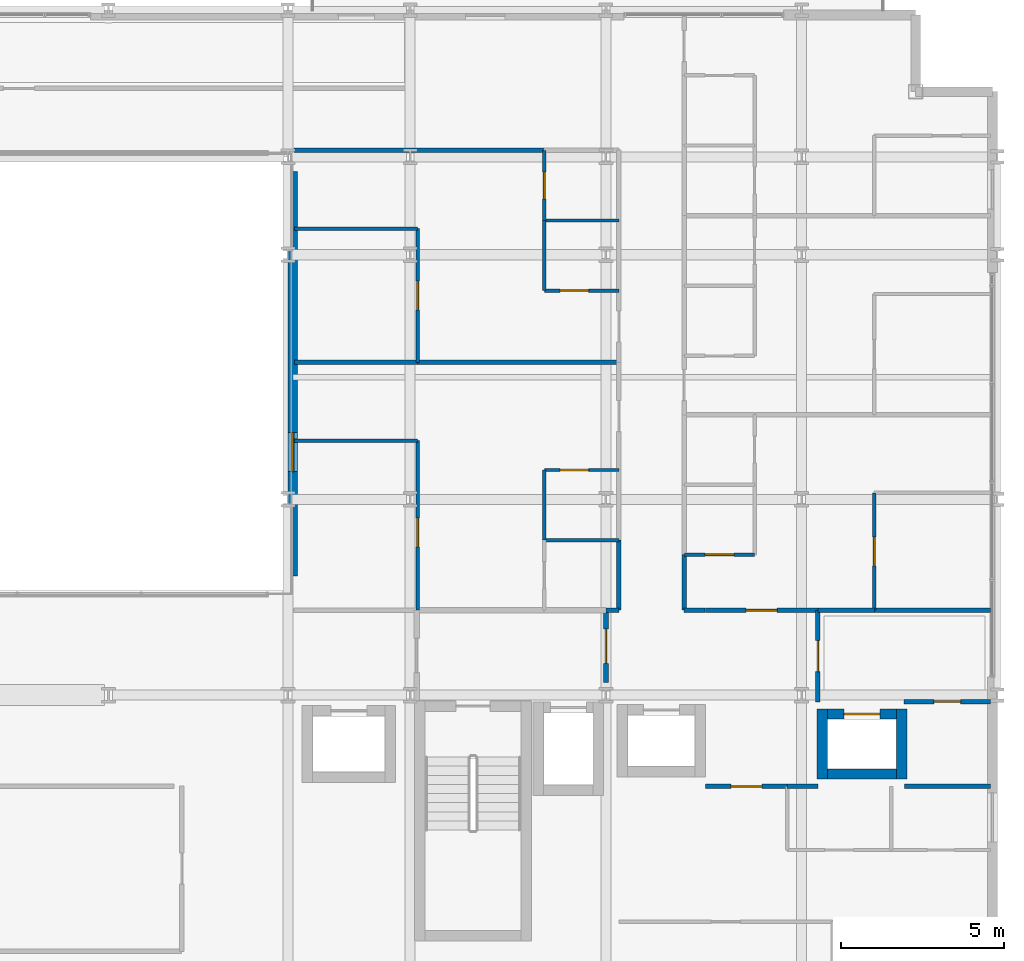
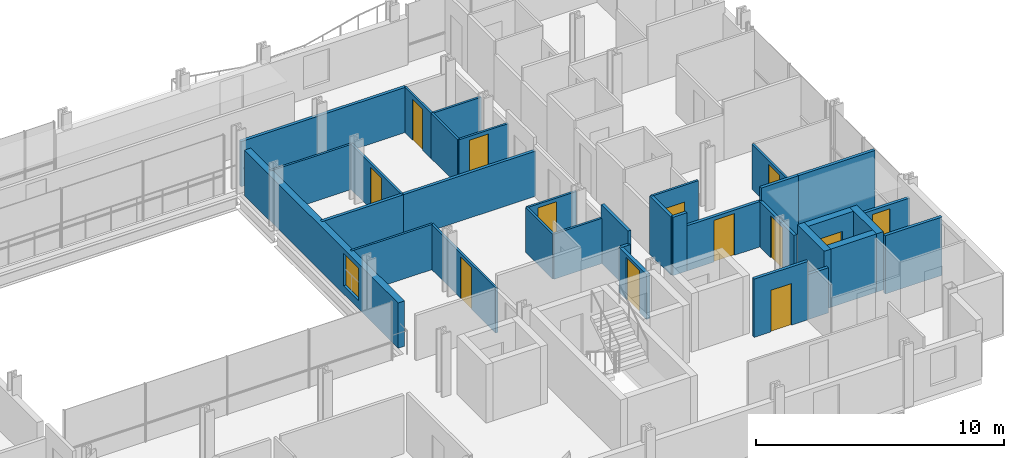
# One storey, part 35 of 40: 34 walls, 13 doors, 1 window, 14 openings.
"""IFC4 building model written with IfcOpenShell, lengths in metres."""

import ifcopenshell
import ifcopenshell.guid

model = None  # the IFC model being written
_history = None  # IfcOwnerHistory: only IFC2X3 demands one
_inside = {}  # id of a spatial element -> (the spatial element, [elements in it])
_under = {}  # id of a project, library or spatial element -> (it, [spatial elements below it])
_declared = {}  # id of a project -> (the project, [libraries it declares])
_typed = {}  # id of a type object -> (the type object, [elements of that type])
_made_of = {}  # id of a material, layer set ... -> (it, [elements and type objects made of it])


def new_model(schema):
    """Start an empty IFC model of exactly this schema.

    Asked for "IFC4X3", IfcOpenShell would pick the latest addendum, in which some entities
    have other attributes; the version numbers below select the first issue.
    IFC2X3 requires an IfcOwnerHistory on every rooted entity: one is made here for all.
    """
    global model, _history
    if schema == "IFC4X3":
        model = ifcopenshell.file(schema_version=(4, 3, 0, 0))
    else:
        model = ifcopenshell.file(schema=schema)
    _inside.clear()
    _under.clear()
    _declared.clear()
    _typed.clear()
    _made_of.clear()
    _history = None
    if model.schema == "IFC2X3":
        org = make("IfcOrganization", Name="unknown")
        user = make(
            "IfcPersonAndOrganization",
            ThePerson=make("IfcPerson", FamilyName="unknown"),
            TheOrganization=org,
        )
        app = make(
            "IfcApplication",
            ApplicationDeveloper=org,
            Version="unknown",
            ApplicationFullName="unknown",
            ApplicationIdentifier="unknown",
        )
        _history = make(
            "IfcOwnerHistory",
            OwningUser=user,
            OwningApplication=app,
            ChangeAction="ADDED",
            CreationDate=0,
        )
    return model


def make(cls, **values):
    """One entity of the class cls with the attributes given. An attribute that is None is left unset."""
    return model.create_entity(
        cls, **{name: value for name, value in values.items() if value is not None}
    )


def rooted(cls, **values):
    """An entity with a GlobalId (a new one), such as an element, a storey or a relation."""
    return make(cls, GlobalId=ifcopenshell.guid.new(), OwnerHistory=_history, **values)


def si_unit(unit_type, name, prefix=None):
    """IfcSIUnit, for example si_unit("LENGTHUNIT", "METRE", prefix="MILLI")."""
    return make("IfcSIUnit", UnitType=unit_type, Prefix=prefix, Name=name)


def assignment(units):
    """IfcUnitAssignment: the units of a project."""
    return None if units is None else make("IfcUnitAssignment", Units=units)


def point(xyz):
    """IfcCartesianPoint."""
    return None if xyz is None else make("IfcCartesianPoint", Coordinates=xyz)


def direction(xyz):
    """IfcDirection."""
    return None if xyz is None else make("IfcDirection", DirectionRatios=xyz)


def frame(location, z_axis=None, x_axis=None):
    """IfcAxis2Placement3D, a coordinate frame: its origin and axes. An axis left out is left unset."""
    return make(
        "IfcAxis2Placement3D",
        Location=point(location),
        Axis=direction(z_axis),
        RefDirection=direction(x_axis),
    )


def frame_2d(location, x_axis=None):
    """IfcAxis2Placement2D, a coordinate frame in the plane: its origin and x axis."""
    return make(
        "IfcAxis2Placement2D", Location=point(location), RefDirection=direction(x_axis)
    )


def origin():
    """The frame at (0, 0, 0) with its axes left unset."""
    return frame((0.0, 0.0, 0.0))


def place(relative_to, where):
    """IfcLocalPlacement: puts the frame where relative to a parent placement (None: the world)."""
    return make(
        "IfcLocalPlacement", PlacementRelTo=relative_to, RelativePlacement=where
    )


def context(
    kind, dimensions, precision=None, world=None, true_north=None, identifier=None
):
    """IfcGeometricRepresentationContext, for example the 3D "Model" context."""
    return make(
        "IfcGeometricRepresentationContext",
        ContextIdentifier=identifier,
        ContextType=kind,
        CoordinateSpaceDimension=dimensions,
        Precision=precision,
        WorldCoordinateSystem=world,
        TrueNorth=true_north,
    )


def subcontext(parent, identifier, kind, view, scale=None):
    """IfcGeometricRepresentationSubContext, for example "Body" below "Model"."""
    return make(
        "IfcGeometricRepresentationSubContext",
        ContextIdentifier=identifier,
        ContextType=kind,
        ParentContext=parent,
        TargetScale=scale,
        TargetView=view,
    )


def project(units=None, contexts=None):
    """IfcProject with its units and contexts."""
    return rooted(
        "IfcProject",
        Name="project",
        RepresentationContexts=contexts,
        UnitsInContext=assignment(units),
    )


def spatial(cls, under=None, at=None, **own):
    """A site, building, storey or space (cls), placed at a placement, below another one or the project."""
    s = rooted(cls, ObjectPlacement=at, **own)
    if under is not None:
        _under.setdefault(under.id(), (under, []))[1].append(s)
    return s


def profile(cls, at=None, kind="AREA", **sizes):
    """A parametric profile (cls). Its sizes go by their IFC names, for example OverallWidth=200.0."""
    return make(cls, ProfileType=kind, Position=at, **sizes)


def rectangle(**sizes):
    """IfcRectangleProfileDef."""
    return profile("IfcRectangleProfileDef", **sizes)


def extrude(swept, where, along, depth):
    """IfcExtrudedAreaSolid: the profile swept, set in the frame where, extruded along a direction by depth."""
    return make(
        "IfcExtrudedAreaSolid",
        SweptArea=swept,
        Position=where,
        ExtrudedDirection=direction(along),
        Depth=depth,
    )


def shape(context_of_items, identifier, shape_type, items):
    """IfcShapeRepresentation: the items that make up one representation, for example the "Body"."""
    return make(
        "IfcShapeRepresentation",
        ContextOfItems=context_of_items,
        RepresentationIdentifier=identifier,
        RepresentationType=shape_type,
        Items=items,
    )


def material(Name=None, Category=None):
    """IfcMaterial."""
    return make("IfcMaterial", Name=Name, Category=Category)


def layer(
    of_material, thickness, ventilated=None, Name=None, Category=None, Priority=None
):
    """IfcMaterialLayer: one layer of a wall or slab, of a material (None: an air gap)."""
    return make(
        "IfcMaterialLayer",
        Material=of_material,
        LayerThickness=thickness,
        IsVentilated=ventilated,
        Name=Name,
        Category=Category,
        Priority=Priority,
    )


def layer_set(layers, Name=None):
    """IfcMaterialLayerSet."""
    return make("IfcMaterialLayerSet", MaterialLayers=layers, LayerSetName=Name)


def made_of(thing, what):
    """Note that an element or type object is made of a material, layer set ...; save() writes the relation."""
    if what is not None:
        _made_of.setdefault(what.id(), (what, []))[1].append(thing)
    return thing


def type_object(cls, material=None, **own):
    """A type object (cls), such as IfcWallType, which elements share."""
    return made_of(rooted(cls, **own), material)


def element(
    cls,
    number,
    at=None,
    inside=None,
    cuts=None,
    type_object=None,
    material=None,
    context=None,
    identifier="Body",
    shape_type=None,
    held_by="IfcProductDefinitionShape",
    body=None,
    shapes=None,
    **own,
):
    """One element of the class cls, such as IfcWall. Its Tag is "e" and its number.

    at: its placement. inside: the storey or other place that contains it. cuts: it is an
    opening in that element (IfcRelVoidsElement). A single representation is given by context,
    identifier, shape_type and body (its items); several are given by shapes. held_by: the class
    of the entity that holds the representations. save() writes the other relations.
    """
    e = rooted(cls, Tag="e%d" % number, ObjectPlacement=at, **own)
    if body is not None:
        shapes = [shape(context, identifier, shape_type, body)]
    if shapes is not None:
        e.Representation = make(held_by, Representations=shapes)
    if inside is not None:
        _inside.setdefault(inside.id(), (inside, []))[1].append(e)
    if cuts is not None:
        rooted(
            "IfcRelVoidsElement", RelatingBuildingElement=cuts, RelatedOpeningElement=e
        )
    if type_object is not None:
        _typed.setdefault(type_object.id(), (type_object, []))[1].append(e)
    return made_of(e, material)


def fill(opening, filler):
    """IfcRelFillsElement: the door or window that sits in an opening."""
    return rooted(
        "IfcRelFillsElement",
        RelatingOpeningElement=opening,
        RelatedBuildingElement=filler,
    )


def aggregate(whole, parts):
    """IfcRelAggregates: a whole, such as a stair, and the parts it consists of."""
    return rooted("IfcRelAggregates", RelatingObject=whole, RelatedObjects=parts)


def save(model, path):
    """Write the relations noted so far, then the file.

    IfcRelAggregates (storeys below a building ...), IfcRelContainedInSpatialStructure (elements
    in a storey), IfcRelDefinesByType, IfcRelAssociatesMaterial and IfcRelDeclares: one each for
    every whole, place, type object, material and project.
    """
    for whole, parts in _under.values():
        aggregate(whole, parts)
    for where, things in _inside.values():
        rooted(
            "IfcRelContainedInSpatialStructure",
            RelatedElements=things,
            RelatingStructure=where,
        )
    for kind, things in _typed.values():
        rooted("IfcRelDefinesByType", RelatedObjects=things, RelatingType=kind)
    for what, things in _made_of.values():
        rooted("IfcRelAssociatesMaterial", RelatedObjects=things, RelatingMaterial=what)
    for by, libraries in _declared.values():
        rooted("IfcRelDeclares", RelatingContext=by, RelatedDefinitions=libraries)
    model.write(path)


model = new_model("IFC4")

# Units and contexts
model_context = context("Model", 3, precision=1e-05, world=origin(), true_north=direction((0.0, 1.0)))
body_context = subcontext(model_context, "Body", "Model", "MODEL_VIEW")
ifc_project = project(units=[si_unit("LENGTHUNIT", "METRE"), si_unit("AREAUNIT", "SQUARE_METRE"), si_unit("VOLUMEUNIT", "CUBIC_METRE"), si_unit("PLANEANGLEUNIT", "RADIAN"), si_unit("MASSUNIT", "GRAM", prefix="KILO")], contexts=[model_context])

# Site, building, storey
site_placement = place(None, origin())
site = spatial("IfcSite", under=ifc_project, at=site_placement, CompositionType="ELEMENT")
building_placement = place(site_placement, origin())
building = spatial("IfcBuilding", under=site, at=building_placement, Name="Brevholm Reach", CompositionType="ELEMENT")
storey_placement = place(building_placement, frame((0.0, 0.0, 31.10009765625)))
storey = spatial("IfcBuildingStorey", under=building, at=storey_placement, Name="L07", CompositionType="ELEMENT", Elevation=31.10009765625)

# Walls
ifc_material_1 = material(Name="Concrete C60/75", Category="concrete")
ifc_layer_1 = layer(ifc_material_1, 0.320068359375)
ifc_layer_set_1 = layer_set([ifc_layer_1], Name="Concrete C60/75")
wall_type_1 = type_object("IfcWallType", Name="WAL-COR-320", PredefinedType="SHEAR", material=ifc_layer_set_1)
for number, where, z_axis, x_axis, name in (
    (1, (54.6298828125, 7.419921875, 0.0), (0.0, 0.0, 1.0), (0.0, 1.0, 0.0), "L07 Lift PL-L2 Shaft Wall W"),
    (2, (57.070068359375, 7.419921875, 0.0), (0.0, 0.0, 1.0), (0.0, 1.0, 0.0), "L07 Lift PL-L2 Shaft Wall E"),
):
    element("IfcWall", number, at=place(storey_placement, frame(where, z_axis=z_axis, x_axis=x_axis)), inside=storey, type_object=wall_type_1, Name=name, PredefinedType="SHEAR", context=body_context, shape_type="SweptSolid", body=[
        extrude(rectangle(XDim=2.16015625, YDim=0.320068359375, at=frame_2d((1.080078125, 0.0))), origin(), (0.0, 0.0, 1.0), 2.869873046875),
    ])
wall_1_placement = place(storey_placement, frame((54.7900390625, 7.580078125, 0.0), z_axis=(0.0, 0.0, 1.0), x_axis=(1.0, 0.0, 0.0)))
element("IfcWall", 3, at=wall_1_placement, inside=storey, type_object=wall_type_1, Name="L07 Lift PL-L2 Shaft Wall S", PredefinedType="SHEAR", context=body_context, shape_type="SweptSolid", body=[
    extrude(rectangle(XDim=2.119873046875, YDim=0.320068359375, at=frame_2d((1.06005859375, 0.0))), origin(), (0.0, 0.0, 1.0), 2.869873046875),
])

# Wall, opening, door
wall_2_placement = place(storey_placement, frame((54.7900390625, 9.419921875, 0.0), z_axis=(0.0, 0.0, 1.0), x_axis=(1.0, 0.0, 0.0)))
wall_2 = element("IfcWall", 4, at=wall_2_placement, inside=storey, type_object=wall_type_1, Name="L07 Lift PL-L2 Shaft Wall N", PredefinedType="SHEAR", context=body_context, shape_type="SweptSolid", body=[
    extrude(rectangle(XDim=2.119873046875, YDim=0.320068359375, at=frame_2d((1.06005859375, 0.0))), origin(), (0.0, 0.0, 1.0), 2.869873046875),
])
opening_1_placement = place(wall_2_placement, frame((0.510009765625, 0.0, 0.0)))
opening_1 = element("IfcOpeningElement", 5, at=opening_1_placement, cuts=wall_2, Name="Opening LD-PL-L2", PredefinedType="OPENING", context=body_context, shape_type="SweptSolid", body=[
    extrude(rectangle(XDim=1.10009765625, YDim=2.06005859375, at=frame_2d((0.550048828125, 1.030029296875))), frame((0.0, 0.169921875, 0.0), z_axis=(0.0, -1.0, 0.0), x_axis=(1.0, 0.0, 0.0)), (0.0, 0.0, 1.0), 0.340087890625),
])
ifc_material_2 = material(Name="Brushed Stainless Steel Fire-Rated Sliding Lift Door", Category="steel")
door_type_1 = type_object("IfcDoorType", Name="DOR-LFT-1100", OperationType="NOTDEFINED", PredefinedType="DOOR", material=ifc_material_2)
door_1_placement = place(opening_1_placement, origin())
door_1 = element("IfcDoor", 6, at=door_1_placement, inside=storey, type_object=door_type_1, Name="L07 Lift PL-L2 Sliding Landing Door", OperationType="SLIDING_TO_RIGHT", OverallHeight=2.06005859375, OverallWidth=1.10009765625, PredefinedType="DOOR", context=body_context, shape_type="SweptSolid", body=[
    extrude(rectangle(XDim=1.10009765625, YDim=2.06005859375, at=frame_2d((0.550048828125, 1.030029296875))), frame((0.0, 0.02490234375, 0.0), z_axis=(0.0, -1.0, 0.0), x_axis=(1.0, 0.0, 0.0)), (0.0, 0.0, 1.0), 0.050048828125),
])
fill(opening_1, door_1)

# Wall, opening, window
ifc_material_3 = material(Name="Concrete C40/50", Category="concrete")
ifc_layer_2 = layer(ifc_material_3, 0.300048828125)
ifc_layer_set_2 = layer_set([ifc_layer_2], Name="Concrete C40/50")
wall_type_2 = type_object("IfcWallType", Name="WAL-EXT-300", PredefinedType="STANDARD", material=ifc_layer_set_2)
wall_3_placement = place(storey_placement, frame((38.39990234375, 13.64990234375, 0.0), z_axis=(0.0, 0.0, 1.0), x_axis=(0.0, 1.0, 0.0)))
wall_3 = element("IfcWall", 7, at=wall_3_placement, inside=storey, type_object=wall_type_2, Name="L07 Facade Wall WAL-L07-AT-E", PredefinedType="STANDARD", context=body_context, shape_type="SweptSolid", body=[
    extrude(rectangle(XDim=12.400146484375, YDim=0.300048828125, at=frame_2d((6.2001953125, 0.0))), origin(), (0.0, 0.0, 1.0), 2.224609375),
])
opening_2_placement = place(wall_3_placement, frame((3.199951171875, 0.0, 0.405029296875)))
opening_2 = element("IfcOpeningElement", 8, at=opening_2_placement, cuts=wall_3, Name="Opening WN-08", PredefinedType="OPENING", context=body_context, shape_type="SweptSolid", body=[
    extrude(rectangle(XDim=1.199951171875, YDim=1.60009765625, at=frame_2d((0.60009765625, 0.800048828125))), frame((0.0, 0.159912109375, 0.0), z_axis=(0.0, -1.0, 0.0), x_axis=(1.0, 0.0, 0.0)), (0.0, 0.0, 1.0), 0.320068359375),
])
ifc_material_4 = material(Name="Dark Anodised Aluminium and Solar-Control IGU Glass", Category="aluminium")
window_type = type_object("IfcWindowType", Name="WIN-RES-1200", PartitioningType="SINGLE_PANEL", PredefinedType="WINDOW", material=ifc_material_4)
window_placement = place(opening_2_placement, origin())
window = element("IfcWindow", 9, at=window_placement, inside=storey, type_object=window_type, Name="L07 Window WIN-L07-AT-E1", OverallHeight=1.60009765625, OverallWidth=1.199951171875, PartitioningType="SINGLE_PANEL", PredefinedType="WINDOW", context=body_context, shape_type="SweptSolid", body=[
    extrude(rectangle(XDim=1.199951171875, YDim=1.60009765625, at=frame_2d((0.60009765625, 0.800048828125))), frame((0.0, 0.030029296875, 0.0), z_axis=(0.0, -1.0, 0.0), x_axis=(1.0, 0.0, 0.0)), (0.0, 0.0, 1.0), 0.06005859375),
])
fill(opening_2, window)

# Wall
ifc_material_5 = material(Name="Moisture-Resistant Acoustic Gypsum Stud Partition 100 mm", Category="gypsum")
ifc_layer_3 = layer(ifc_material_5, 0.10009765625)
ifc_layer_set_3 = layer_set([ifc_layer_3], Name="Moisture-Resistant Acoustic Gypsum Stud Partition 100 mm")
wall_type_3 = type_object("IfcWallType", Name="WAL-PRT-100", PredefinedType="PARTITIONING", material=ifc_layer_set_3)
wall_4_placement = place(storey_placement, frame((46.112060546875, 14.75, 0.0), z_axis=(0.0, 0.0, 1.0), x_axis=(1.0, 0.0, 0.0)))
element("IfcWall", 10, at=wall_4_placement, inside=storey, type_object=wall_type_3, Name="L07 Internal Partition 129", PredefinedType="PARTITIONING", context=body_context, shape_type="SweptSolid", body=[
    extrude(rectangle(XDim=2.283935546875, YDim=0.10009765625, at=frame_2d((1.14208984375, 0.0))), origin(), (0.0, 0.0, 1.0), 2.224609375),
])

# Wall, opening, door
wall_5_placement = place(storey_placement, frame((46.112060546875, 16.89990234375, 0.0), z_axis=(0.0, 0.0, 1.0), x_axis=(1.0, 0.0, 0.0)))
wall_5 = element("IfcWall", 11, at=wall_5_placement, inside=storey, type_object=wall_type_3, Name="L07 Internal Partition 131", PredefinedType="PARTITIONING", context=body_context, shape_type="SweptSolid", body=[
    extrude(rectangle(XDim=2.283935546875, YDim=0.10009765625, at=frame_2d((1.14208984375, 0.0))), origin(), (0.0, 0.0, 1.0), 2.224609375),
])
opening_3_placement = place(wall_5_placement, frame((0.48193359375, 0.0, 0.0)))
opening_3 = element("IfcOpeningElement", 12, at=opening_3_placement, cuts=wall_5, Name="Opening ID-01", PredefinedType="OPENING", context=body_context, shape_type="SweptSolid", body=[
    extrude(rectangle(XDim=0.8798828125, YDim=2.0400390625, at=frame_2d((0.43994140625, 1.02001953125))), frame((0.0, 0.06005859375, 0.0), z_axis=(0.0, -1.0, 0.0), x_axis=(1.0, 0.0, 0.0)), (0.0, 0.0, 1.0), 0.1201171875),
])
ifc_material_6 = material(Name="Lacquered Ash Solid-Core Acoustic Internal Door", Category="timber")
door_type_2 = type_object("IfcDoorType", Name="DOR-INT-880", OperationType="NOTDEFINED", PredefinedType="DOOR", material=ifc_material_6)
door_2_placement = place(opening_3_placement, origin())
door_2 = element("IfcDoor", 13, at=door_2_placement, inside=storey, type_object=door_type_2, Name="L07 Internal Door 049", OperationType="SINGLE_SWING_RIGHT", OverallHeight=2.0400390625, OverallWidth=0.8798828125, PredefinedType="DOOR", context=body_context, shape_type="SweptSolid", body=[
    extrude(rectangle(XDim=0.8798828125, YDim=2.0400390625, at=frame_2d((0.43994140625, 1.02001953125))), frame((0.0, 0.02490234375, 0.0), z_axis=(0.0, -1.0, 0.0), x_axis=(1.0, 0.0, 0.0)), (0.0, 0.0, 1.0), 0.050048828125),
])
fill(opening_3, door_2)

# Wall
wall_6_placement = place(storey_placement, frame((46.112060546875, 14.75390625, 0.0), z_axis=(0.0, 0.0, 1.0), x_axis=(0.0, 1.0, 0.0)))
element("IfcWall", 14, at=wall_6_placement, inside=storey, type_object=wall_type_3, Name="L07 Internal Partition 132", PredefinedType="PARTITIONING", context=body_context, shape_type="SweptSolid", body=[
    extrude(rectangle(XDim=2.14599609375, YDim=0.10009765625, at=frame_2d((1.072998046875, 0.0))), origin(), (0.0, 0.0, 1.0), 2.224609375),
])

# Wall, opening, door
wall_7_placement = place(storey_placement, frame((42.23095703125, 12.60400390625, 0.0), z_axis=(0.0, 0.0, 1.0), x_axis=(0.0, 1.0, 0.0)))
wall_7 = element("IfcWall", 15, at=wall_7_placement, inside=storey, type_object=wall_type_3, Name="L07 Internal Partition 133", PredefinedType="PARTITIONING", context=body_context, shape_type="SweptSolid", body=[
    extrude(rectangle(XDim=5.196044921875, YDim=0.10009765625, at=frame_2d((2.59814453125, 0.0))), origin(), (0.0, 0.0, 1.0), 2.224609375),
])
opening_4_placement = place(wall_7_placement, frame((1.93798828125, 0.0, 0.0)))
opening_4 = element("IfcOpeningElement", 16, at=opening_4_placement, cuts=wall_7, Name="Opening ID-01", PredefinedType="OPENING", context=body_context, shape_type="SweptSolid", body=[
    extrude(rectangle(XDim=0.8798828125, YDim=2.0400390625, at=frame_2d((0.43994140625, 1.02001953125))), frame((0.0, 0.06005859375, 0.0), z_axis=(0.0, -1.0, 0.0), x_axis=(1.0, 0.0, 0.0)), (0.0, 0.0, 1.0), 0.1201171875),
])
door_3_placement = place(opening_4_placement, origin())
door_3 = element("IfcDoor", 17, at=door_3_placement, inside=storey, type_object=door_type_2, Name="L07 Internal Door 050", OperationType="SINGLE_SWING_LEFT", OverallHeight=2.0400390625, OverallWidth=0.8798828125, PredefinedType="DOOR", context=body_context, shape_type="SweptSolid", body=[
    extrude(rectangle(XDim=0.8798828125, YDim=2.0400390625, at=frame_2d((0.43994140625, 1.02001953125))), frame((0.0, 0.02490234375, 0.0), z_axis=(0.0, -1.0, 0.0), x_axis=(1.0, 0.0, 0.0)), (0.0, 0.0, 1.0), 0.050048828125),
])
fill(opening_4, door_3)

# Walls
wall_8_placement = place(storey_placement, frame((38.449951171875, 17.800048828125, 0.0), z_axis=(0.0, 0.0, 1.0), x_axis=(1.0, 0.0, 0.0)))
element("IfcWall", 18, at=wall_8_placement, inside=storey, type_object=wall_type_3, Name="L07 Internal Partition 134", PredefinedType="PARTITIONING", context=body_context, shape_type="SweptSolid", body=[
    extrude(rectangle(XDim=3.781005859375, YDim=0.10009765625, at=frame_2d((1.890625, 0.0))), origin(), (0.0, 0.0, 1.0), 2.224609375),
])
wall_9_placement = place(storey_placement, frame((46.112060546875, 24.550048828125, 0.0), z_axis=(0.0, 0.0, 1.0), x_axis=(1.0, 0.0, 0.0)))
element("IfcWall", 19, at=wall_9_placement, inside=storey, type_object=wall_type_3, Name="L07 Internal Partition 137", PredefinedType="PARTITIONING", context=body_context, shape_type="SweptSolid", body=[
    extrude(rectangle(XDim=2.283935546875, YDim=0.10009765625, at=frame_2d((1.14208984375, 0.0))), origin(), (0.0, 0.0, 1.0), 2.224609375),
])

# Wall, opening, door
wall_10_placement = place(storey_placement, frame((46.112060546875, 24.550048828125, 0.0), z_axis=(0.0, 0.0, 1.0), x_axis=(0.0, 1.0, 0.0)))
wall_10 = element("IfcWall", 20, at=wall_10_placement, inside=storey, type_object=wall_type_3, Name="L07 Internal Partition 138", PredefinedType="PARTITIONING", context=body_context, shape_type="SweptSolid", body=[
    extrude(rectangle(XDim=2.14599609375, YDim=0.10009765625, at=frame_2d((1.072998046875, 0.0))), origin(), (0.0, 0.0, 1.0), 2.224609375),
])
opening_5_placement = place(wall_10_placement, frame((0.6630859375, 0.0, 0.0)))
opening_5 = element("IfcOpeningElement", 21, at=opening_5_placement, cuts=wall_10, Name="Opening ID-03", PredefinedType="OPENING", context=body_context, shape_type="SweptSolid", body=[
    extrude(rectangle(XDim=0.820068359375, YDim=2.02001953125, at=frame_2d((0.41015625, 1.010009765625))), frame((0.0, 0.06005859375, 0.0), z_axis=(0.0, -1.0, 0.0), x_axis=(1.0, 0.0, 0.0)), (0.0, 0.0, 1.0), 0.1201171875),
])
ifc_material_7 = material(Name="Moisture-Resistant Painted Timber Internal Bathroom Door", Category="wood")
door_type_3 = type_object("IfcDoorType", Name="DOR-BATH-820", OperationType="NOTDEFINED", PredefinedType="DOOR", material=ifc_material_7)
door_4_placement = place(opening_5_placement, origin())
door_4 = element("IfcDoor", 22, at=door_4_placement, inside=storey, type_object=door_type_3, Name="L07 Internal Door 051", OperationType="SINGLE_SWING_RIGHT", OverallHeight=2.02001953125, OverallWidth=0.820068359375, PredefinedType="DOOR", context=body_context, shape_type="SweptSolid", body=[
    extrude(rectangle(XDim=0.820068359375, YDim=2.02001953125, at=frame_2d((0.41015625, 1.010009765625))), frame((0.0, 0.02490234375, 0.0), z_axis=(0.0, -1.0, 0.0), x_axis=(1.0, 0.0, 0.0)), (0.0, 0.0, 1.0), 0.050048828125),
])
fill(opening_5, door_4)

wall_11_placement = place(storey_placement, frame((46.112060546875, 22.39990234375, 0.0), z_axis=(0.0, 0.0, 1.0), x_axis=(1.0, 0.0, 0.0)))
wall_11 = element("IfcWall", 23, at=wall_11_placement, inside=storey, type_object=wall_type_3, Name="L07 Internal Partition 139", PredefinedType="PARTITIONING", context=body_context, shape_type="SweptSolid", body=[
    extrude(rectangle(XDim=2.283935546875, YDim=0.10009765625, at=frame_2d((1.14208984375, 0.0))), origin(), (0.0, 0.0, 1.0), 2.224609375),
])
opening_6_placement = place(wall_11_placement, frame((0.48193359375, 0.0, 0.0)))
opening_6 = element("IfcOpeningElement", 24, at=opening_6_placement, cuts=wall_11, Name="Opening ID-01", PredefinedType="OPENING", context=body_context, shape_type="SweptSolid", body=[
    extrude(rectangle(XDim=0.8798828125, YDim=2.0400390625, at=frame_2d((0.43994140625, 1.02001953125))), frame((0.0, 0.06005859375, 0.0), z_axis=(0.0, -1.0, 0.0), x_axis=(1.0, 0.0, 0.0)), (0.0, 0.0, 1.0), 0.1201171875),
])
door_5_placement = place(opening_6_placement, origin())
door_5 = element("IfcDoor", 25, at=door_5_placement, inside=storey, type_object=door_type_2, Name="L07 Internal Door 052", OperationType="SINGLE_SWING_LEFT", OverallHeight=2.0400390625, OverallWidth=0.8798828125, PredefinedType="DOOR", context=body_context, shape_type="SweptSolid", body=[
    extrude(rectangle(XDim=0.8798828125, YDim=2.0400390625, at=frame_2d((0.43994140625, 1.02001953125))), frame((0.0, 0.02490234375, 0.0), z_axis=(0.0, -1.0, 0.0), x_axis=(1.0, 0.0, 0.0)), (0.0, 0.0, 1.0), 0.050048828125),
])
fill(opening_6, door_5)

# Wall
wall_12_placement = place(storey_placement, frame((46.112060546875, 22.39990234375, 0.0), z_axis=(0.0, 0.0, 1.0), x_axis=(0.0, 1.0, 0.0)))
element("IfcWall", 26, at=wall_12_placement, inside=storey, type_object=wall_type_3, Name="L07 Internal Partition 140", PredefinedType="PARTITIONING", context=body_context, shape_type="SweptSolid", body=[
    extrude(rectangle(XDim=2.14599609375, YDim=0.10009765625, at=frame_2d((1.072998046875, 0.0))), origin(), (0.0, 0.0, 1.0), 2.224609375),
])

# Wall, opening, door
wall_13_placement = place(storey_placement, frame((42.23095703125, 20.2041015625, 0.0), z_axis=(0.0, 0.0, 1.0), x_axis=(0.0, 1.0, 0.0)))
wall_13 = element("IfcWall", 27, at=wall_13_placement, inside=storey, type_object=wall_type_3, Name="L07 Internal Partition 141", PredefinedType="PARTITIONING", context=body_context, shape_type="SweptSolid", body=[
    extrude(rectangle(XDim=4.095947265625, YDim=0.10009765625, at=frame_2d((2.0478515625, 0.0))), origin(), (0.0, 0.0, 1.0), 2.224609375),
])
opening_7_placement = place(wall_13_placement, frame((1.60791015625, 0.0, 0.0)))
opening_7 = element("IfcOpeningElement", 28, at=opening_7_placement, cuts=wall_13, Name="Opening ID-01", PredefinedType="OPENING", context=body_context, shape_type="SweptSolid", body=[
    extrude(rectangle(XDim=0.8798828125, YDim=2.0400390625, at=frame_2d((0.43994140625, 1.02001953125))), frame((0.0, 0.06005859375, 0.0), z_axis=(0.0, -1.0, 0.0), x_axis=(1.0, 0.0, 0.0)), (0.0, 0.0, 1.0), 0.1201171875),
])
door_6_placement = place(opening_7_placement, origin())
door_6 = element("IfcDoor", 29, at=door_6_placement, inside=storey, type_object=door_type_2, Name="L07 Internal Door 053", OperationType="SINGLE_SWING_RIGHT", OverallHeight=2.0400390625, OverallWidth=0.8798828125, PredefinedType="DOOR", context=body_context, shape_type="SweptSolid", body=[
    extrude(rectangle(XDim=0.8798828125, YDim=2.0400390625, at=frame_2d((0.43994140625, 1.02001953125))), frame((0.0, 0.02490234375, 0.0), z_axis=(0.0, -1.0, 0.0), x_axis=(1.0, 0.0, 0.0)), (0.0, 0.0, 1.0), 0.050048828125),
])
fill(opening_7, door_6)

# Wall
wall_14_placement = place(storey_placement, frame((38.449951171875, 24.300048828125, 0.0), z_axis=(0.0, 0.0, 1.0), x_axis=(1.0, 0.0, 0.0)))
element("IfcWall", 30, at=wall_14_placement, inside=storey, type_object=wall_type_3, Name="L07 Internal Partition 142", PredefinedType="PARTITIONING", context=body_context, shape_type="SweptSolid", body=[
    extrude(rectangle(XDim=3.781005859375, YDim=0.10009765625, at=frame_2d((1.890625, 0.0))), origin(), (0.0, 0.0, 1.0), 2.224609375),
])

# Wall, opening, door
wall_15_placement = place(storey_placement, frame((50.404052734375, 14.300048828125, 0.0), z_axis=(0.0, 0.0, 1.0), x_axis=(1.0, 0.0, 0.0)))
wall_15 = element("IfcWall", 31, at=wall_15_placement, inside=storey, type_object=wall_type_3, Name="L07 Internal Partition 146", PredefinedType="PARTITIONING", context=body_context, shape_type="SweptSolid", body=[
    extrude(rectangle(XDim=2.157958984375, YDim=0.10009765625, at=frame_2d((1.0791015625, 0.0))), origin(), (0.0, 0.0, 1.0), 2.869873046875),
])
opening_8_placement = place(wall_15_placement, frame((0.638916015625, 0.0, 0.0)))
opening_8 = element("IfcOpeningElement", 32, at=opening_8_placement, cuts=wall_15, Name="Opening ID-01", PredefinedType="OPENING", context=body_context, shape_type="SweptSolid", body=[
    extrude(rectangle(XDim=0.8798828125, YDim=2.0400390625, at=frame_2d((0.43994140625, 1.02001953125))), frame((0.0, 0.06005859375, 0.0), z_axis=(0.0, -1.0, 0.0), x_axis=(1.0, 0.0, 0.0)), (0.0, 0.0, 1.0), 0.1201171875),
])
door_7_placement = place(opening_8_placement, origin())
door_7 = element("IfcDoor", 33, at=door_7_placement, inside=storey, type_object=door_type_2, Name="L07 Internal Door 055", OperationType="SINGLE_SWING_RIGHT", OverallHeight=2.0400390625, OverallWidth=0.8798828125, PredefinedType="DOOR", context=body_context, shape_type="SweptSolid", body=[
    extrude(rectangle(XDim=0.8798828125, YDim=2.0400390625, at=frame_2d((0.43994140625, 1.02001953125))), frame((0.0, 0.02490234375, 0.0), z_axis=(0.0, -1.0, 0.0), x_axis=(1.0, 0.0, 0.0)), (0.0, 0.0, 1.0), 0.050048828125),
])
fill(opening_8, door_7)

wall_16_placement = place(storey_placement, frame((56.22802734375, 12.60400390625, 0.0), z_axis=(0.0, 0.0, 1.0), x_axis=(0.0, 1.0, 0.0)))
wall_16 = element("IfcWall", 34, at=wall_16_placement, inside=storey, type_object=wall_type_3, Name="L07 Internal Partition 149", PredefinedType="PARTITIONING", context=body_context, shape_type="SweptSolid", body=[
    extrude(rectangle(XDim=3.595947265625, YDim=0.10009765625, at=frame_2d((1.7978515625, 0.0))), origin(), (0.0, 0.0, 1.0), 2.224609375),
])
opening_9_placement = place(wall_16_placement, frame((1.35791015625, 0.0, 0.0)))
opening_9 = element("IfcOpeningElement", 35, at=opening_9_placement, cuts=wall_16, Name="Opening ID-01", PredefinedType="OPENING", context=body_context, shape_type="SweptSolid", body=[
    extrude(rectangle(XDim=0.8798828125, YDim=2.0400390625, at=frame_2d((0.43994140625, 1.02001953125))), frame((0.0, 0.06005859375, 0.0), z_axis=(0.0, -1.0, 0.0), x_axis=(1.0, 0.0, 0.0)), (0.0, 0.0, 1.0), 0.1201171875),
])
door_8_placement = place(opening_9_placement, origin())
door_8 = element("IfcDoor", 36, at=door_8_placement, inside=storey, type_object=door_type_2, Name="L07 Internal Door 056", OperationType="SINGLE_SWING_LEFT", OverallHeight=2.0400390625, OverallWidth=0.8798828125, PredefinedType="DOOR", context=body_context, shape_type="SweptSolid", body=[
    extrude(rectangle(XDim=0.8798828125, YDim=2.0400390625, at=frame_2d((0.43994140625, 1.02001953125))), frame((0.0, 0.02490234375, 0.0), z_axis=(0.0, -1.0, 0.0), x_axis=(1.0, 0.0, 0.0)), (0.0, 0.0, 1.0), 0.050048828125),
])
fill(opening_9, door_8)

ifc_material_8 = material(Name="Twin-Stud Acoustic Fire-Rated Gypsum Partition 140 mm", Category="gypsum")
ifc_layer_4 = layer(ifc_material_8, 0.139892578125)
ifc_layer_set_4 = layer_set([ifc_layer_4], Name="Twin-Stud Acoustic Fire-Rated Gypsum Partition 140 mm")
wall_type_4 = type_object("IfcWallType", Name="WAL-PRT-140", PredefinedType="PARTITIONING", material=ifc_layer_set_4)
wall_17_placement = place(storey_placement, frame((54.5, 9.788818359375, 0.0), z_axis=(0.0, 0.0, 1.0), x_axis=(0.0, 1.0, 0.0)))
wall_17 = element("IfcWall", 37, at=wall_17_placement, inside=storey, type_object=wall_type_4, Name="L07 Internal Partition 013", PredefinedType="PARTITIONING", context=body_context, shape_type="SweptSolid", body=[
    extrude(rectangle(XDim=2.811279296875, YDim=0.139892578125, at=frame_2d((1.40576171875, 0.0))), origin(), (0.0, 0.0, 1.0), 2.224609375),
])
opening_10_placement = place(wall_17_placement, frame((0.9306640625, 0.0, 0.0)))
opening_10 = element("IfcOpeningElement", 38, at=opening_10_placement, cuts=wall_17, Name="Opening ID-30", PredefinedType="OPENING", context=body_context, shape_type="SweptSolid", body=[
    extrude(rectangle(XDim=0.949951171875, YDim=2.050048828125, at=frame_2d((0.47509765625, 1.02490234375))), frame((0.0, 0.079833984375, 0.0), z_axis=(0.0, -1.0, 0.0), x_axis=(1.0, 0.0, 0.0)), (0.0, 0.0, 1.0), 0.159912109375),
])
ifc_material_9 = material(Name="European Oak Veneered Solid-Core Fire Entrance Door", Category="timber")
door_type_4 = type_object("IfcDoorType", Name="DOR-FLT-FD30S", OperationType="NOTDEFINED", PredefinedType="DOOR", material=ifc_material_9)
door_9_placement = place(opening_10_placement, origin())
door_9 = element("IfcDoor", 39, at=door_9_placement, inside=storey, type_object=door_type_4, Name="L07 Internal Door 008", OperationType="SINGLE_SWING_LEFT", OverallHeight=2.050048828125, OverallWidth=0.949951171875, PredefinedType="DOOR", context=body_context, shape_type="SweptSolid", body=[
    extrude(rectangle(XDim=0.949951171875, YDim=2.050048828125, at=frame_2d((0.47509765625, 1.02490234375))), frame((0.0, 0.02490234375, 0.0), z_axis=(0.0, -1.0, 0.0), x_axis=(1.0, 0.0, 0.0)), (0.0, 0.0, 1.0), 0.050048828125),
])
fill(opening_10, door_9)

# Wall
wall_18_placement = place(storey_placement, frame((53.546630859375, 7.199951171875, 0.0), z_axis=(0.0, 0.0, 1.0), x_axis=(1.0, 0.0, 0.0)))
element("IfcWall", 40, at=wall_18_placement, inside=storey, type_object=wall_type_4, Name="L07 Internal Partition 014", PredefinedType="PARTITIONING", context=body_context, shape_type="SweptSolid", body=[
    extrude(rectangle(XDim=0.953369140625, YDim=0.139892578125, at=frame_2d((0.4765625, 0.0))), origin(), (0.0, 0.0, 1.0), 2.224609375),
])

# Wall, opening, door
wall_19_placement = place(storey_placement, frame((51.050048828125, 7.199951171875, 0.0), z_axis=(0.0, 0.0, 1.0), x_axis=(1.0, 0.0, 0.0)))
wall_19 = element("IfcWall", 41, at=wall_19_placement, inside=storey, type_object=wall_type_4, Name="L07 Internal Partition 015", PredefinedType="PARTITIONING", context=body_context, shape_type="SweptSolid", body=[
    extrude(rectangle(XDim=2.51513671875, YDim=0.139892578125, at=frame_2d((1.257568359375, 0.0))), origin(), (0.0, 0.0, 1.0), 2.869873046875),
])
opening_11_placement = place(wall_19_placement, frame((0.78271484375, 0.0, 0.0)))
opening_11 = element("IfcOpeningElement", 42, at=opening_11_placement, cuts=wall_19, Name="Opening ID-30", PredefinedType="OPENING", context=body_context, shape_type="SweptSolid", body=[
    extrude(rectangle(XDim=0.949951171875, YDim=2.050048828125, at=frame_2d((0.47509765625, 1.02490234375))), frame((0.0, 0.079833984375, 0.0), z_axis=(0.0, -1.0, 0.0), x_axis=(1.0, 0.0, 0.0)), (0.0, 0.0, 1.0), 0.159912109375),
])
door_10_placement = place(opening_11_placement, origin())
door_10 = element("IfcDoor", 43, at=door_10_placement, inside=storey, type_object=door_type_4, Name="L07 Internal Door 009", OperationType="SINGLE_SWING_RIGHT", OverallHeight=2.050048828125, OverallWidth=0.949951171875, PredefinedType="DOOR", context=body_context, shape_type="SweptSolid", body=[
    extrude(rectangle(XDim=0.949951171875, YDim=2.050048828125, at=frame_2d((0.47509765625, 1.02490234375))), frame((0.0, 0.02490234375, 0.0), z_axis=(0.0, -1.0, 0.0), x_axis=(1.0, 0.0, 0.0)), (0.0, 0.0, 1.0), 0.050048828125),
])
fill(opening_11, door_10)

wall_20_placement = place(storey_placement, frame((51.050048828125, 12.60009765625, 0.0), z_axis=(0.0, 0.0, 1.0), x_axis=(1.0, 0.0, 0.0)))
wall_20 = element("IfcWall", 44, at=wall_20_placement, inside=storey, type_object=wall_type_4, Name="L07 Internal Partition 016", PredefinedType="PARTITIONING", context=body_context, shape_type="SweptSolid", body=[
    extrude(rectangle(XDim=3.449951171875, YDim=0.139892578125, at=frame_2d((1.72509765625, 0.0))), origin(), (0.0, 0.0, 1.0), 2.224609375),
])
opening_12_placement = place(wall_20_placement, frame((1.25, 0.0, 0.0)))
opening_12 = element("IfcOpeningElement", 45, at=opening_12_placement, cuts=wall_20, Name="Opening ID-30", PredefinedType="OPENING", context=body_context, shape_type="SweptSolid", body=[
    extrude(rectangle(XDim=0.949951171875, YDim=2.050048828125, at=frame_2d((0.47509765625, 1.02490234375))), frame((0.0, 0.079833984375, 0.0), z_axis=(0.0, -1.0, 0.0), x_axis=(1.0, 0.0, 0.0)), (0.0, 0.0, 1.0), 0.159912109375),
])
door_11_placement = place(opening_12_placement, origin())
door_11 = element("IfcDoor", 46, at=door_11_placement, inside=storey, type_object=door_type_4, Name="L07 Internal Door 010", OperationType="SINGLE_SWING_LEFT", OverallHeight=2.050048828125, OverallWidth=0.949951171875, PredefinedType="DOOR", context=body_context, shape_type="SweptSolid", body=[
    extrude(rectangle(XDim=0.949951171875, YDim=2.050048828125, at=frame_2d((0.47509765625, 1.02490234375))), frame((0.0, 0.02490234375, 0.0), z_axis=(0.0, -1.0, 0.0), x_axis=(1.0, 0.0, 0.0)), (0.0, 0.0, 1.0), 0.050048828125),
])
fill(opening_12, door_11)

# Walls
wall_21_placement = place(storey_placement, frame((48.00390625, 12.60009765625, 0.0), z_axis=(0.0, 0.0, 1.0), x_axis=(1.0, 0.0, 0.0)))
element("IfcWall", 47, at=wall_21_placement, inside=storey, type_object=wall_type_4, Name="L07 Internal Partition 033", PredefinedType="PARTITIONING", context=body_context, shape_type="SweptSolid", body=[
    extrude(rectangle(XDim=0.4033203125, YDim=0.139892578125, at=frame_2d((0.20166015625, 0.0))), origin(), (0.0, 0.0, 1.0), 2.224609375),
])
wall_22_placement = place(storey_placement, frame((50.392578125, 12.60009765625, 0.0), z_axis=(0.0, 0.0, 1.0), x_axis=(1.0, 0.0, 0.0)))
element("IfcWall", 48, at=wall_22_placement, inside=storey, type_object=wall_type_4, Name="L07 Internal Partition 034", PredefinedType="PARTITIONING", context=body_context, shape_type="SweptSolid", body=[
    extrude(rectangle(XDim=0.6533203125, YDim=0.139892578125, at=frame_2d((0.32666015625, 0.0))), origin(), (0.0, 0.0, 1.0), 2.869873046875),
])
wall_23_placement = place(storey_placement, frame((48.39990234375, 12.60400390625, 0.0), z_axis=(0.0, 0.0, 1.0), x_axis=(0.0, 1.0, 0.0)))
element("IfcWall", 49, at=wall_23_placement, inside=storey, type_object=wall_type_4, Name="L07 Internal Partition 050", PredefinedType="PARTITIONING", context=body_context, shape_type="SweptSolid", body=[
    extrude(rectangle(XDim=2.1572265625, YDim=0.139892578125, at=frame_2d((1.07861328125, 0.0))), origin(), (0.0, 0.0, 1.0), 2.869873046875),
])
wall_24_placement = place(storey_placement, frame((50.39990234375, 12.60400390625, 0.0), z_axis=(0.0, 0.0, 1.0), x_axis=(0.0, 1.0, 0.0)))
element("IfcWall", 50, at=wall_24_placement, inside=storey, type_object=wall_type_4, Name="L07 Internal Partition 058", PredefinedType="PARTITIONING", context=body_context, shape_type="SweptSolid", body=[
    extrude(rectangle(XDim=1.703369140625, YDim=0.139892578125, at=frame_2d((0.8515625, 0.0))), origin(), (0.0, 0.0, 1.0), 2.869873046875),
])
wall_25_placement = place(storey_placement, frame((38.438720703125, 26.699951171875, 0.0), z_axis=(0.0, 0.0, 1.0), x_axis=(1.0, 0.0, 0.0)))
element("IfcWall", 51, at=wall_25_placement, inside=storey, type_object=wall_type_4, Name="L07 Internal Partition 068", PredefinedType="PARTITIONING", context=body_context, shape_type="SweptSolid", body=[
    extrude(rectangle(XDim=7.6806640625, YDim=0.139892578125, at=frame_2d((3.84033203125, 0.0))), origin(), (0.0, 0.0, 1.0), 2.224609375),
])

# Wall, opening, door
wall_26_placement = place(storey_placement, frame((57.138671875, 9.800048828125, 0.0), z_axis=(0.0, 0.0, 1.0), x_axis=(1.0, 0.0, 0.0)))
wall_26 = element("IfcWall", 52, at=wall_26_placement, inside=storey, type_object=wall_type_4, Name="L07 Internal Partition 081", PredefinedType="PARTITIONING", context=body_context, shape_type="SweptSolid", body=[
    extrude(rectangle(XDim=2.661376953125, YDim=0.139892578125, at=frame_2d((1.33056640625, 0.0))), origin(), (0.0, 0.0, 1.0), 2.224609375),
])
opening_13_placement = place(wall_26_placement, frame((0.920654296875, 0.0, 0.0)))
opening_13 = element("IfcOpeningElement", 53, at=opening_13_placement, cuts=wall_26, Name="Opening ID-02", PredefinedType="OPENING", context=body_context, shape_type="SweptSolid", body=[
    extrude(rectangle(XDim=0.820068359375, YDim=2.02001953125, at=frame_2d((0.41015625, 1.010009765625))), frame((0.0, 0.079833984375, 0.0), z_axis=(0.0, -1.0, 0.0), x_axis=(1.0, 0.0, 0.0)), (0.0, 0.0, 1.0), 0.159912109375),
])
ifc_material_10 = material(Name="Moisture-Resistant Painted Timber Fire-Rated Riser and Service Door", Category="wood")
door_type_5 = type_object("IfcDoorType", Name="DOR-SRV-820", OperationType="NOTDEFINED", PredefinedType="DOOR", material=ifc_material_10)
door_12_placement = place(opening_13_placement, origin())
door_12 = element("IfcDoor", 54, at=door_12_placement, inside=storey, type_object=door_type_5, Name="L07 Access Door 063", OperationType="SINGLE_SWING_RIGHT", OverallHeight=2.02001953125, OverallWidth=0.820068359375, PredefinedType="DOOR", context=body_context, shape_type="SweptSolid", body=[
    extrude(rectangle(XDim=0.820068359375, YDim=2.02001953125, at=frame_2d((0.41015625, 1.010009765625))), frame((0.0, 0.02490234375, 0.0), z_axis=(0.0, -1.0, 0.0), x_axis=(1.0, 0.0, 0.0)), (0.0, 0.0, 1.0), 0.050048828125),
])
fill(opening_13, door_12)

# Walls
wall_27_placement = place(storey_placement, frame((56.216796875, 12.60009765625, 0.0), z_axis=(0.0, 0.0, 1.0), x_axis=(1.0, 0.0, 0.0)))
element("IfcWall", 55, at=wall_27_placement, inside=storey, type_object=wall_type_4, Name="L07 Internal Partition 082", PredefinedType="PARTITIONING", context=body_context, shape_type="SweptSolid", body=[
    extrude(rectangle(XDim=3.583251953125, YDim=0.139892578125, at=frame_2d((1.79150390625, 0.0))), origin(), (0.0, 0.0, 1.0), 2.869873046875),
])
wall_28_placement = place(storey_placement, frame((54.50390625, 12.60009765625, 0.0), z_axis=(0.0, 0.0, 1.0), x_axis=(1.0, 0.0, 0.0)))
element("IfcWall", 56, at=wall_28_placement, inside=storey, type_object=wall_type_4, Name="L07 Internal Partition 083", PredefinedType="PARTITIONING", context=body_context, shape_type="SweptSolid", body=[
    extrude(rectangle(XDim=1.7314453125, YDim=0.139892578125, at=frame_2d((0.86572265625, 0.0))), origin(), (0.0, 0.0, 1.0), 2.869873046875),
])
wall_29_placement = place(storey_placement, frame((57.14990234375, 7.199951171875, 0.0), z_axis=(0.0, 0.0, 1.0), x_axis=(1.0, 0.0, 0.0)))
element("IfcWall", 57, at=wall_29_placement, inside=storey, type_object=wall_type_4, Name="L07 Internal Partition 084", PredefinedType="PARTITIONING", context=body_context, shape_type="SweptSolid", body=[
    extrude(rectangle(XDim=2.650146484375, YDim=0.139892578125, at=frame_2d((1.3251953125, 0.0))), origin(), (0.0, 0.0, 1.0), 2.869873046875),
])
wall_30_placement = place(storey_placement, frame((38.449951171875, 20.199951171875, 0.0), z_axis=(0.0, 0.0, 1.0), x_axis=(1.0, 0.0, 0.0)))
element("IfcWall", 58, at=wall_30_placement, inside=storey, type_object=wall_type_4, Name="L07 Internal Partition 135", PredefinedType="PARTITIONING", context=body_context, shape_type="SweptSolid", body=[
    extrude(rectangle(XDim=3.792236328125, YDim=0.139892578125, at=frame_2d((1.89599609375, 0.0))), origin(), (0.0, 0.0, 1.0), 2.224609375),
])
wall_31_placement = place(storey_placement, frame((42.2236328125, 20.199951171875, 0.0), z_axis=(0.0, 0.0, 1.0), x_axis=(1.0, 0.0, 0.0)))
element("IfcWall", 59, at=wall_31_placement, inside=storey, type_object=wall_type_4, Name="L07 Internal Partition 136", PredefinedType="PARTITIONING", context=body_context, shape_type="SweptSolid", body=[
    extrude(rectangle(XDim=6.17236328125, YDim=0.139892578125, at=frame_2d((3.086181640625, 0.0))), origin(), (0.0, 0.0, 1.0), 2.224609375),
])

# Wall, opening, door
ifc_material_11 = material(Name="Twin-Frame Fire-Rated Gypsum Board and Mineral Wool 160 mm", Category="gypsum")
ifc_layer_5 = layer(ifc_material_11, 0.159912109375)
ifc_layer_set_5 = layer_set([ifc_layer_5], Name="Twin-Frame Fire-Rated Gypsum Board and Mineral Wool 160 mm")
wall_type_5 = type_object("IfcWallType", Name="WAL-PRT-160", PredefinedType="PARTITIONING", material=ifc_layer_set_5)
wall_32_placement = place(storey_placement, frame((48.0, 10.388671875, 0.0), z_axis=(0.0, 0.0, 1.0), x_axis=(0.0, 1.0, 0.0)))
wall_32 = element("IfcWall", 60, at=wall_32_placement, inside=storey, type_object=wall_type_5, Name="L07 Internal Partition 024", PredefinedType="PARTITIONING", context=body_context, shape_type="SweptSolid", body=[
    extrude(rectangle(XDim=2.21142578125, YDim=0.159912109375, at=frame_2d((1.105712890625, 0.0))), origin(), (0.0, 0.0, 1.0), 2.224609375),
])
opening_14_placement = place(wall_32_placement, frame((0.58056640625, 0.0, 0.0)))
opening_14 = element("IfcOpeningElement", 61, at=opening_14_placement, cuts=wall_32, Name="Opening FD-01", PredefinedType="OPENING", context=body_context, shape_type="SweptSolid", body=[
    extrude(rectangle(XDim=1.050048828125, YDim=2.06005859375, at=frame_2d((0.52490234375, 1.030029296875))), frame((0.0, 0.08984375, 0.0), z_axis=(0.0, -1.0, 0.0), x_axis=(1.0, 0.0, 0.0)), (0.0, 0.0, 1.0), 0.179931640625),
])
ifc_material_12 = material(Name="Hardwood-Lipped Steel-Core Fire and Smoke Door", Category="steel")
door_type_6 = type_object("IfcDoorType", Name="DOR-INT-FD60S", OperationType="NOTDEFINED", PredefinedType="DOOR", material=ifc_material_12)
door_13_placement = place(opening_14_placement, origin())
door_13 = element("IfcDoor", 62, at=door_13_placement, inside=storey, type_object=door_type_6, Name="L07 Internal Door 014", OperationType="SINGLE_SWING_LEFT", OverallHeight=2.06005859375, OverallWidth=1.050048828125, PredefinedType="DOOR", context=body_context, shape_type="SweptSolid", body=[
    extrude(rectangle(XDim=1.050048828125, YDim=2.06005859375, at=frame_2d((0.52490234375, 1.030029296875))), frame((0.0, 0.02490234375, 0.0), z_axis=(0.0, -1.0, 0.0), x_axis=(1.0, 0.0, 0.0)), (0.0, 0.0, 1.0), 0.050048828125),
])
fill(opening_14, door_13)

save(model, "model.ifc")
